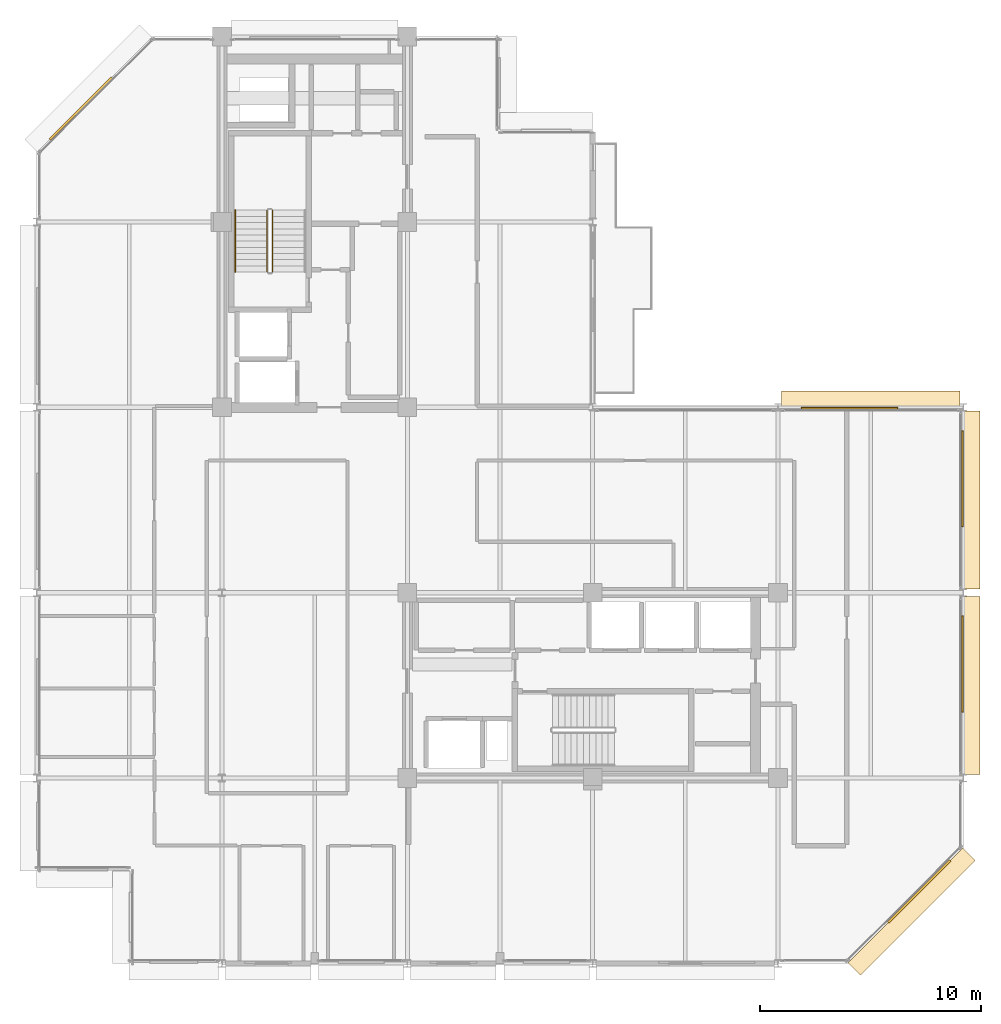
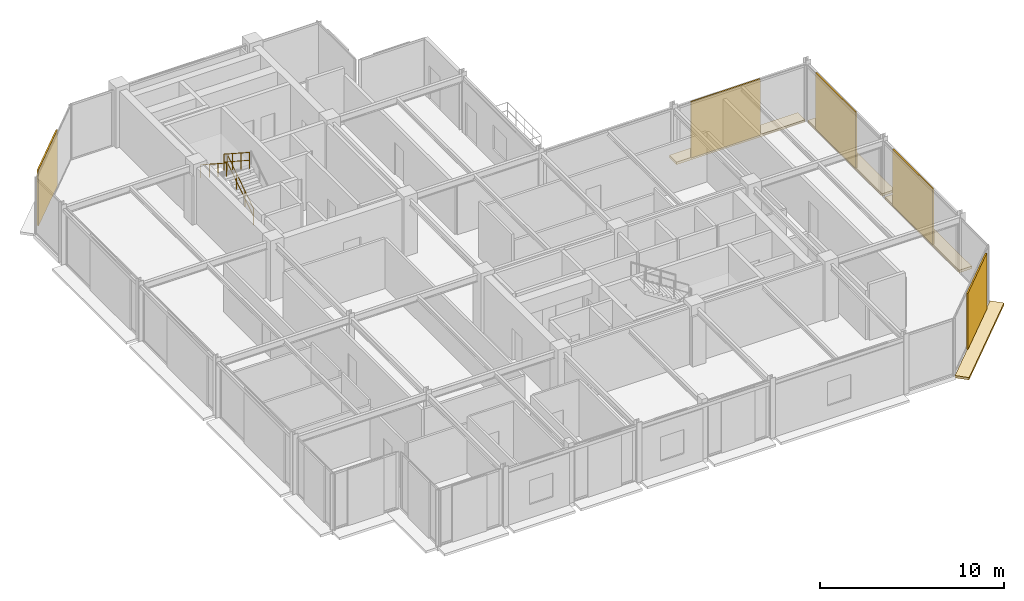
# One storey, part 26 of 27: 9 coverings, 3 railings.
"""IFC4 building model written with IfcOpenShell, lengths in metres."""

from ifc_helpers import new_model, si_unit, direction, frame, origin, origin_2d, place, context, subcontext, project, spatial, polyline, rectangle, circle, outline, extrude, material, layer, layer_set, type_object, element, save


model = new_model("IFC4")

# Units and contexts
model_context = context("Model", 3, precision=1e-05, world=origin(), true_north=direction((0.0, 1.0)))
body_context = subcontext(model_context, "Body", "Model", "MODEL_VIEW")
ifc_project = project(units=[si_unit("LENGTHUNIT", "METRE"), si_unit("AREAUNIT", "SQUARE_METRE"), si_unit("VOLUMEUNIT", "CUBIC_METRE"), si_unit("PLANEANGLEUNIT", "RADIAN"), si_unit("MASSUNIT", "GRAM", prefix="KILO")], contexts=[model_context])

# Site, building, storey
site_placement = place(None, origin())
site = spatial("IfcSite", under=ifc_project, at=site_placement, CompositionType="ELEMENT")
building_placement = place(site_placement, origin())
building = spatial("IfcBuilding", under=site, at=building_placement, Name="Nerrivon Quay Data Exchange", CompositionType="ELEMENT")
storey_placement = place(building_placement, frame((0.0, 0.0, 278.199951171875)))
storey = spatial("IfcBuildingStorey", under=building, at=storey_placement, Name="L66", CompositionType="ELEMENT", Elevation=278.199951171875)

# Coverings
ifc_material_1 = material(Name="Architectural terracotta ceramic", Category="masonry")
ifc_layer_1 = layer(ifc_material_1, 0.159912109375)
ifc_layer_set_1 = layer_set([ifc_layer_1], Name="Architectural terracotta ceramic")
covering_type_1 = type_object("IfcCoveringType", Name="COV-BLD-TERR", PredefinedType="CLADDING", material=ifc_layer_set_1)
covering_1_placement = place(storey_placement, frame((0.0, 0.0, -0.159912109375)))
element("IfcCovering", 1, at=covering_1_placement, inside=storey, type_object=covering_type_1, Name="L66 Horizontal Terracotta SOLAR SCREEN Blade", PredefinedType="CLADDING", context=body_context, shape_type="SweptSolid", body=[
    extrude(outline(polyline([(41.9716796875, 5.228271484375), (36.771728515625, 0.0283203125), (37.330322265625, -0.5302734375), (42.5302734375, 4.669677734375), (41.9716796875, 5.228271484375)])), origin(), (0.0, 0.0, 1.0), 0.159912109375),
])
covering_2_placement = place(storey_placement, frame((0.0, 0.0, -0.159912109375)))
element("IfcCovering", 2, at=covering_2_placement, inside=storey, type_object=covering_type_1, Name="L66 Horizontal Terracotta SOLAR SCREEN Blade", PredefinedType="CLADDING", context=body_context, shape_type="SweptSolid", body=[
    extrude(outline(polyline([(33.755615234375, 25.159912109375), (41.844482421875, 25.159912109375), (41.844482421875, 25.949951171875), (33.755615234375, 25.949951171875), (33.755615234375, 25.159912109375)])), origin(), (0.0, 0.0, 1.0), 0.159912109375),
])
covering_3_placement = place(storey_placement, frame((0.0, 0.0, -0.159912109375)))
element("IfcCovering", 3, at=covering_3_placement, inside=storey, type_object=covering_type_1, Name="L66 Horizontal Terracotta SOLAR SCREEN Blade", PredefinedType="CLADDING", context=body_context, shape_type="SweptSolid", body=[
    extrude(outline(polyline([(41.9599609375, 25.03662109375), (41.9599609375, 16.96337890625), (42.75, 16.96337890625), (42.75, 25.03662109375), (41.9599609375, 25.03662109375)])), origin(), (0.0, 0.0, 1.0), 0.159912109375),
])
covering_4_placement = place(storey_placement, frame((0.0, 0.0, -0.159912109375)))
element("IfcCovering", 4, at=covering_4_placement, inside=storey, type_object=covering_type_1, Name="L66 Horizontal Terracotta SOLAR SCREEN Blade", PredefinedType="CLADDING", context=body_context, shape_type="SweptSolid", body=[
    extrude(outline(polyline([(41.9599609375, 16.636474609375), (41.9599609375, 8.5634765625), (42.75, 8.5634765625), (42.75, 16.636474609375), (41.9599609375, 16.636474609375)])), origin(), (0.0, 0.0, 1.0), 0.159912109375),
])
ifc_layer_2 = layer(ifc_material_1, 0.090087890625)
ifc_layer_set_2 = layer_set([ifc_layer_2], Name="Architectural terracotta ceramic")
covering_type_2 = type_object("IfcCoveringType", Name="COV-SCR-TERR", PredefinedType="CLADDING", material=ifc_layer_set_2)
for number, where, z_axis, x_axis, name in (
    (5, (39.9921875, 3.255859375, 0.0), (0.0, 0.0, 1.0), (-0.707106781187, -0.707106781187, 0.0), "L66 Perforated Terracotta SOLAR SCREEN Cassette"),
    (6, (2.0078125, 38.744140625, 0.0), (0.0, 0.0, 1.0), (0.707106781187, 0.707106781187, 0.0), "L66 Perforated Terracotta SOLAR SCREEN Cassette"),
):
    element("IfcCovering", number, at=place(storey_placement, frame(where, z_axis=z_axis, x_axis=x_axis)), inside=storey, type_object=covering_type_2, Name=name, PredefinedType="CLADDING", context=body_context, shape_type="SweptSolid", body=[
        extrude(rectangle(XDim=3.970947265625, YDim=0.090087890625, at=origin_2d()), origin(), (0.0, 0.0, 1.0), 3.72509765625),
    ])
covering_5_placement = place(storey_placement, frame((36.829345703125, 25.155029296875, 0.0), z_axis=(0.0, 0.0, 1.0), x_axis=(1.0, 0.0, 0.0)))
element("IfcCovering", 7, at=covering_5_placement, inside=storey, type_object=covering_type_2, Name="L66 Perforated Terracotta SOLAR SCREEN Cassette", PredefinedType="CLADDING", context=body_context, shape_type="SweptSolid", body=[
    extrude(rectangle(XDim=4.367919921875, YDim=0.090087890625, at=origin_2d()), origin(), (0.0, 0.0, 1.0), 3.72509765625),
])
for number, where, z_axis, x_axis, name in (
    (8, (41.955078125, 21.96875, 0.0), (0.0, 0.0, 1.0), (0.0, -1.0, 0.0), "L66 Perforated Terracotta SOLAR SCREEN Cassette"),
    (9, (41.955078125, 13.56884765625, 0.0), (0.0, 0.0, 1.0), (0.0, -1.0, 0.0), "L66 Perforated Terracotta SOLAR SCREEN Cassette"),
):
    element("IfcCovering", number, at=place(storey_placement, frame(where, z_axis=z_axis, x_axis=x_axis)), inside=storey, type_object=covering_type_2, Name=name, PredefinedType="CLADDING", context=body_context, shape_type="SweptSolid", body=[
        extrude(rectangle(XDim=4.35888671875, YDim=0.090087890625, at=origin_2d()), origin(), (0.0, 0.0, 1.0), 3.72509765625),
    ])

# Railings
ifc_material_2 = material(Name="Steel Grade C350L0 (350 MPa)", Category="steel")
railing_type_1 = type_object("IfcRailingType", Name="RAIL-HAND-HR1", PredefinedType="HANDRAIL", material=ifc_material_2)
railing_1_placement = place(storey_placement, frame((9.0, 34.1298828125, 2.181884765625)))
element("IfcRailing", 10, at=railing_1_placement, inside=storey, type_object=railing_type_1, Name="L66 ST01 stair handrail 2", PredefinedType="HANDRAIL", context=body_context, shape_type="SweptSolid", body=[
    extrude(circle(Radius=0.02392578125, at=origin_2d()), frame((0.0, 0.0, 0.8759765625), z_axis=(0.0, -0.83868413941, 0.544618136222), x_axis=(1.0, 0.0, 0.0)), (0.0, 0.0, 1.0), 3.33837890625),
    extrude(circle(Radius=0.02099609375, at=origin_2d()), origin(), (0.0, 0.0, 1.0), 0.851806640625),
    extrude(circle(Radius=0.02099609375, at=origin_2d()), frame((0.0, -0.933349609375, 0.60595703125)), (0.0, 0.0, 1.0), 0.851806640625),
    extrude(circle(Radius=0.02099609375, at=origin_2d()), frame((0.0, -1.866455078125, 1.212158203125)), (0.0, 0.0, 1.0), 0.851806640625),
    extrude(circle(Radius=0.02099609375, at=origin_2d()), frame((0.0, -2.7998046875, 1.818115234375)), (0.0, 0.0, 1.0), 0.851806640625),
])
railing_type_2 = type_object("IfcRailingType", Name="RAIL-STAIR-GR1", PredefinedType="BALUSTRADE", material=ifc_material_2)
railing_2_placement = place(storey_placement, frame((10.699951171875, 31.330078125, 0.181884765625)))
element("IfcRailing", 11, at=railing_2_placement, inside=storey, type_object=railing_type_2, Name="L66 ST01 stair guard 1", PredefinedType="BALUSTRADE", context=body_context, shape_type="SweptSolid", body=[
    extrude(circle(Radius=0.02392578125, at=origin_2d()), frame((0.0, 0.0, 1.076171875), z_axis=(0.0, 0.83868413941, 0.544618136222), x_axis=(-1.0, 0.0, 0.0)), (0.0, 0.0, 1.0), 3.33837890625),
    extrude(circle(Radius=0.02392578125, at=origin_2d()), frame((0.0, 0.0, 0.550048828125), z_axis=(0.0, 0.83868413941, 0.544618136222), x_axis=(-1.0, 0.0, 0.0)), (0.0, 0.0, 1.0), 3.33837890625),
    extrude(circle(Radius=0.02099609375, at=origin_2d()), origin(), (0.0, 0.0, 1.0), 1.052001953125),
    extrude(circle(Radius=0.02099609375, at=origin_2d()), frame((0.0, 0.933349609375, 0.60595703125)), (0.0, 0.0, 1.0), 1.052001953125),
    extrude(circle(Radius=0.02099609375, at=origin_2d()), frame((0.0, 1.866455078125, 1.212158203125)), (0.0, 0.0, 1.0), 1.052001953125),
    extrude(circle(Radius=0.02099609375, at=origin_2d()), frame((0.0, 2.7998046875, 1.818115234375)), (0.0, 0.0, 1.0), 1.052001953125),
])
railing_3_placement = place(storey_placement, frame((10.449951171875, 34.1298828125, 2.181884765625)))
element("IfcRailing", 12, at=railing_3_placement, inside=storey, type_object=railing_type_2, Name="L66 ST01 stair guard 3", PredefinedType="BALUSTRADE", context=body_context, shape_type="SweptSolid", body=[
    extrude(circle(Radius=0.02392578125, at=origin_2d()), frame((0.0, 0.0, 1.076171875), z_axis=(0.0, -0.83868413941, 0.544618136222), x_axis=(1.0, 0.0, 0.0)), (0.0, 0.0, 1.0), 3.33837890625),
    extrude(circle(Radius=0.02392578125, at=origin_2d()), frame((0.0, 0.0, 0.550048828125), z_axis=(0.0, -0.83868413941, 0.544618136222), x_axis=(1.0, 0.0, 0.0)), (0.0, 0.0, 1.0), 3.33837890625),
    extrude(circle(Radius=0.02099609375, at=origin_2d()), origin(), (0.0, 0.0, 1.0), 1.052001953125),
    extrude(circle(Radius=0.02099609375, at=origin_2d()), frame((0.0, -0.933349609375, 0.60595703125)), (0.0, 0.0, 1.0), 1.052001953125),
    extrude(circle(Radius=0.02099609375, at=origin_2d()), frame((0.0, -1.866455078125, 1.212158203125)), (0.0, 0.0, 1.0), 1.052001953125),
    extrude(circle(Radius=0.02099609375, at=origin_2d()), frame((0.0, -2.7998046875, 1.818115234375)), (0.0, 0.0, 1.0), 1.052001953125),
])

save(model, "model.ifc")
